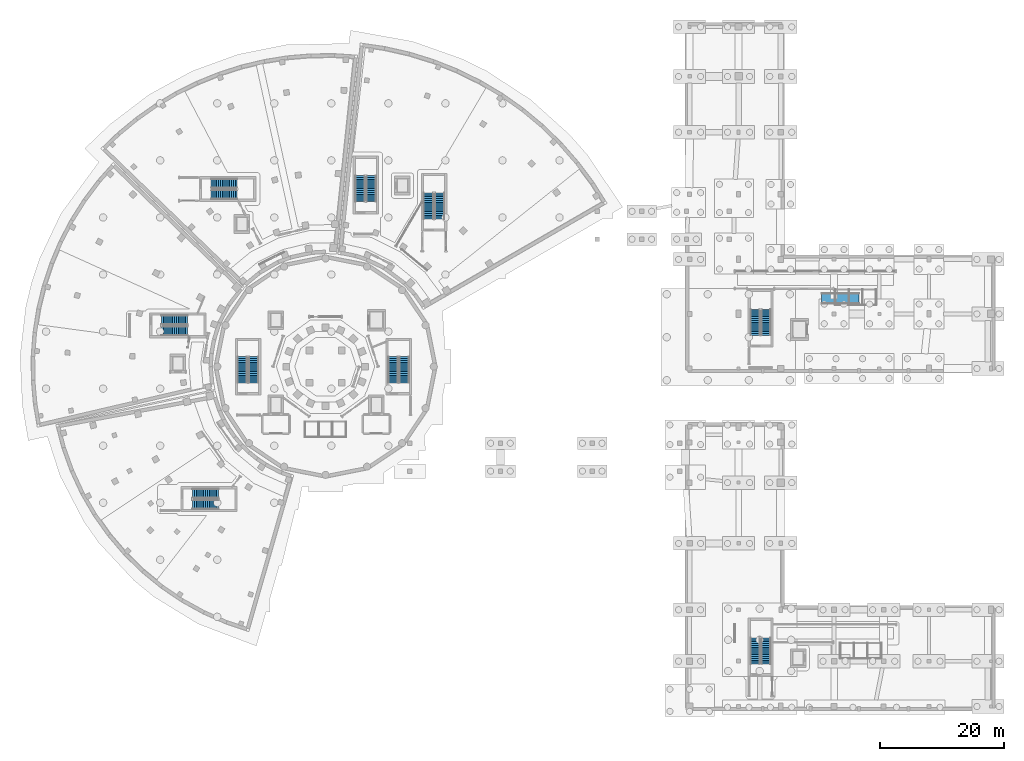
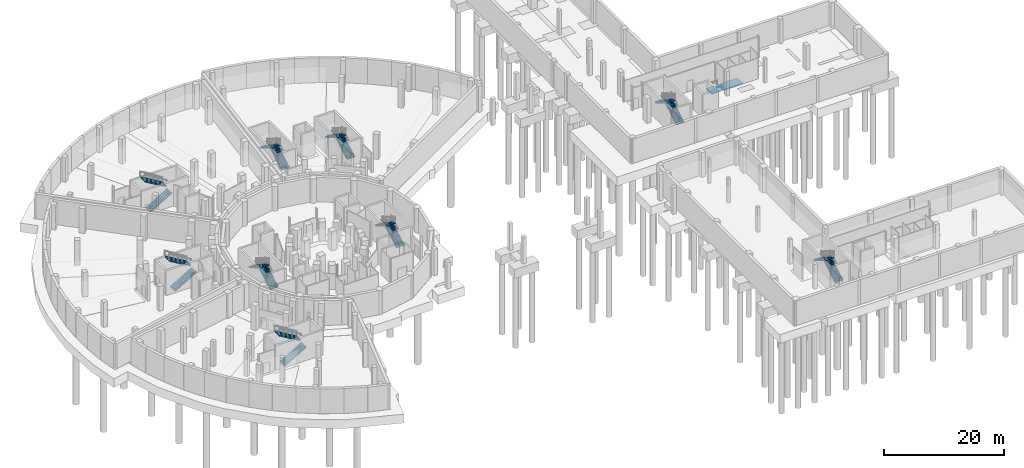
# One storey, part 19 of 33: 18 stair flights, 1 ramp flight, 10 elements without a shape of their own.
"""IFC4 building model written with IfcOpenShell, lengths in metres."""

from ifc_helpers import new_model, si_unit, direction, frame, origin, place, context, subcontext, project, spatial, polyline, outline, extrude, material, type_object, element, aggregate, save


model = new_model("IFC4")

# Units and contexts
model_context = context("Model", 3, precision=1e-05, world=origin(), true_north=direction((0.0, 1.0)))
body_context = subcontext(model_context, "Body", "Model", "MODEL_VIEW")
ifc_project = project(units=[si_unit("LENGTHUNIT", "METRE"), si_unit("AREAUNIT", "SQUARE_METRE"), si_unit("VOLUMEUNIT", "CUBIC_METRE"), si_unit("PLANEANGLEUNIT", "RADIAN"), si_unit("MASSUNIT", "GRAM", prefix="KILO")], contexts=[model_context])

# Site, building, storey
site_placement = place(None, origin())
site = spatial("IfcSite", under=ifc_project, at=site_placement, CompositionType="ELEMENT")
building_placement = place(site_placement, origin())
building = spatial("IfcBuilding", under=site, at=building_placement, Name="Soyqirgoq Riverine Aquarium", CompositionType="ELEMENT")
storey_placement = place(building_placement, frame((0.0, 0.0, -5.39990234375)))
storey = spatial("IfcBuildingStorey", under=building, at=storey_placement, Name="B01", CompositionType="ELEMENT", Elevation=-5.39990234375)

# Stair, stair flights
ifc_material_1 = material(Name="Concrete C35/45", Category="concrete")
stair_type = type_object("IfcStairType", Name="CoreDoglegStair_RC", PredefinedType="HALF_TURN_STAIR", material=ifc_material_1)
stair_1_placement = place(storey_placement, origin())
stair_1 = element("IfcStair", 1, at=stair_1_placement, inside=storey, type_object=stair_type, Name="B01 Enclosed Exit Stair ST-1", PredefinedType="HALF_TURN_STAIR")
ifc_material_2 = material(Name="Concrete C35/45", Category="concrete")
stair_flight_type = type_object("IfcStairFlightType", Name="CoreStairFlight_RC", PredefinedType="STRAIGHT", material=ifc_material_2)
stair_flight_1_placement = place(storey_placement, frame((68.699951171875, 54.39990234375, 0.0), z_axis=(0.0, 0.0, 1.0), x_axis=(0.0, 1.0, 0.0)))
stair_flight_1 = element("IfcStairFlight", 2, at=stair_flight_1_placement, type_object=stair_flight_type, Name="ST-1 flight 1", NumberOfRisers=15, NumberOfTreads=14, PredefinedType="STRAIGHT", RiserHeight=0.18, TreadLength=0.3, context=body_context, shape_type="SweptSolid", body=[
    extrude(outline(polyline([(0.0, 0.0), (0.0, 0.179931640625), (0.300048828125, 0.179931640625), (0.300048828125, 0.360107421875), (0.60009765625, 0.360107421875), (0.60009765625, 0.5400390625), (0.89990234375, 0.5400390625), (0.89990234375, 0.719970703125), (1.199951171875, 0.719970703125), (1.199951171875, 0.89990234375), (1.5, 0.89990234375), (1.5, 1.080078125), (1.800048828125, 1.080078125), (1.800048828125, 1.260009765625), (2.10009765625, 1.260009765625), (2.10009765625, 1.43994140625), (2.39990234375, 1.43994140625), (2.39990234375, 1.6201171875), (2.699951171875, 1.6201171875), (2.699951171875, 1.800048828125), (3.0, 1.800048828125), (3.0, 1.97998046875), (3.300048828125, 1.97998046875), (3.300048828125, 2.159912109375), (3.60009765625, 2.159912109375), (3.60009765625, 2.340087890625), (3.89990234375, 2.340087890625), (3.89990234375, 2.52001953125), (4.199951171875, 2.52001953125), (4.199951171875, 2.699951171875), (4.199951171875, 2.34521484375), (0.291259765625, 0.0), (0.0, 0.0)])), frame((0.0, 0.800048828125, 0.0), z_axis=(0.0, -1.0, 0.0), x_axis=(1.0, 0.0, 0.0)), (0.0, 0.0, 1.0), 1.60009765625),
])
stair_flight_2_placement = place(storey_placement, frame((66.89990234375, 58.60009765625, 2.699951171875), z_axis=(0.0, 0.0, 1.0), x_axis=(0.0, -1.0, 0.0)))
stair_flight_2 = element("IfcStairFlight", 3, at=stair_flight_2_placement, type_object=stair_flight_type, Name="ST-1 flight 2", NumberOfRisers=15, NumberOfTreads=14, PredefinedType="STRAIGHT", RiserHeight=0.18, TreadLength=0.3, context=body_context, shape_type="SweptSolid", body=[
    extrude(outline(polyline([(0.0, 0.0), (0.0, 0.179931640625), (0.300048828125, 0.179931640625), (0.300048828125, 0.360107421875), (0.60009765625, 0.360107421875), (0.60009765625, 0.5400390625), (0.89990234375, 0.5400390625), (0.89990234375, 0.719970703125), (1.199951171875, 0.719970703125), (1.199951171875, 0.89990234375), (1.5, 0.89990234375), (1.5, 1.080078125), (1.800048828125, 1.080078125), (1.800048828125, 1.260009765625), (2.10009765625, 1.260009765625), (2.10009765625, 1.43994140625), (2.39990234375, 1.43994140625), (2.39990234375, 1.6201171875), (2.699951171875, 1.6201171875), (2.699951171875, 1.800048828125), (3.0, 1.800048828125), (3.0, 1.97998046875), (3.300048828125, 1.97998046875), (3.300048828125, 2.159912109375), (3.60009765625, 2.159912109375), (3.60009765625, 2.340087890625), (3.89990234375, 2.340087890625), (3.89990234375, 2.52001953125), (4.199951171875, 2.52001953125), (4.199951171875, 2.699951171875), (4.199951171875, 2.34521484375), (0.291259765625, 0.0), (0.0, 0.0)])), frame((0.0, 0.800048828125, 0.0), z_axis=(0.0, -1.0, 0.0), x_axis=(1.0, 0.0, 0.0)), (0.0, 0.0, 1.0), 1.60009765625),
])
aggregate(stair_1, [stair_flight_1, stair_flight_2])

stair_2_placement = place(storey_placement, origin())
stair_2 = element("IfcStair", 4, at=stair_2_placement, inside=storey, type_object=stair_type, Name="B01 Enclosed Exit Stair ST-9", PredefinedType="HALF_TURN_STAIR")
stair_flight_3_placement = place(storey_placement, frame((44.39990234375, 54.39990234375, 0.0), z_axis=(0.0, 0.0, 1.0), x_axis=(0.0, 1.0, 0.0)))
stair_flight_3 = element("IfcStairFlight", 5, at=stair_flight_3_placement, type_object=stair_flight_type, Name="ST-9 flight 1", NumberOfRisers=15, NumberOfTreads=14, PredefinedType="STRAIGHT", RiserHeight=0.18, TreadLength=0.3, context=body_context, shape_type="SweptSolid", body=[
    extrude(outline(polyline([(0.0, 0.0), (0.0, 0.179931640625), (0.300048828125, 0.179931640625), (0.300048828125, 0.360107421875), (0.60009765625, 0.360107421875), (0.60009765625, 0.5400390625), (0.89990234375, 0.5400390625), (0.89990234375, 0.719970703125), (1.199951171875, 0.719970703125), (1.199951171875, 0.89990234375), (1.5, 0.89990234375), (1.5, 1.080078125), (1.800048828125, 1.080078125), (1.800048828125, 1.260009765625), (2.10009765625, 1.260009765625), (2.10009765625, 1.43994140625), (2.39990234375, 1.43994140625), (2.39990234375, 1.6201171875), (2.699951171875, 1.6201171875), (2.699951171875, 1.800048828125), (3.0, 1.800048828125), (3.0, 1.97998046875), (3.300048828125, 1.97998046875), (3.300048828125, 2.159912109375), (3.60009765625, 2.159912109375), (3.60009765625, 2.340087890625), (3.89990234375, 2.340087890625), (3.89990234375, 2.52001953125), (4.199951171875, 2.52001953125), (4.199951171875, 2.699951171875), (4.199951171875, 2.34521484375), (0.291259765625, 0.0), (0.0, 0.0)])), frame((0.0, 0.800048828125, 0.0), z_axis=(0.0, -1.0, 0.0), x_axis=(1.0, 0.0, 0.0)), (0.0, 0.0, 1.0), 1.60009765625),
])
stair_flight_4_placement = place(storey_placement, frame((42.60009765625, 58.60009765625, 2.699951171875), z_axis=(0.0, 0.0, 1.0), x_axis=(0.0, -1.0, 0.0)))
stair_flight_4 = element("IfcStairFlight", 6, at=stair_flight_4_placement, type_object=stair_flight_type, Name="ST-9 flight 2", NumberOfRisers=15, NumberOfTreads=14, PredefinedType="STRAIGHT", RiserHeight=0.18, TreadLength=0.3, context=body_context, shape_type="SweptSolid", body=[
    extrude(outline(polyline([(0.0, 0.0), (0.0, 0.179931640625), (0.300048828125, 0.179931640625), (0.300048828125, 0.360107421875), (0.60009765625, 0.360107421875), (0.60009765625, 0.5400390625), (0.89990234375, 0.5400390625), (0.89990234375, 0.719970703125), (1.199951171875, 0.719970703125), (1.199951171875, 0.89990234375), (1.5, 0.89990234375), (1.5, 1.080078125), (1.800048828125, 1.080078125), (1.800048828125, 1.260009765625), (2.10009765625, 1.260009765625), (2.10009765625, 1.43994140625), (2.39990234375, 1.43994140625), (2.39990234375, 1.6201171875), (2.699951171875, 1.6201171875), (2.699951171875, 1.800048828125), (3.0, 1.800048828125), (3.0, 1.97998046875), (3.300048828125, 1.97998046875), (3.300048828125, 2.159912109375), (3.60009765625, 2.159912109375), (3.60009765625, 2.340087890625), (3.89990234375, 2.340087890625), (3.89990234375, 2.52001953125), (4.199951171875, 2.52001953125), (4.199951171875, 2.699951171875), (4.199951171875, 2.34521484375), (0.291259765625, 0.0), (0.0, 0.0)])), frame((0.0, 0.800048828125, 0.0), z_axis=(0.0, -1.0, 0.0), x_axis=(1.0, 0.0, 0.0)), (0.0, 0.0, 1.0), 1.60009765625),
])
aggregate(stair_2, [stair_flight_3, stair_flight_4])

stair_3_placement = place(storey_placement, origin())
stair_3 = element("IfcStair", 7, at=stair_3_placement, inside=storey, type_object=stair_type, Name="B01 Enclosed Exit Stair ST-2", PredefinedType="HALF_TURN_STAIR")
stair_flight_5_placement = place(storey_placement, frame((34.550048828125, 34.77490234375, 0.0), z_axis=(0.0, 0.0, 1.0), x_axis=(1.0, 0.0, 0.0)))
stair_flight_5 = element("IfcStairFlight", 8, at=stair_flight_5_placement, type_object=stair_flight_type, Name="ST-2 flight 1", NumberOfRisers=15, NumberOfTreads=14, PredefinedType="STRAIGHT", RiserHeight=0.18, TreadLength=0.3, context=body_context, shape_type="SweptSolid", body=[
    extrude(outline(polyline([(0.0, 0.0), (0.0, 0.179931640625), (0.300048828125, 0.179931640625), (0.300048828125, 0.360107421875), (0.60009765625, 0.360107421875), (0.60009765625, 0.5400390625), (0.89990234375, 0.5400390625), (0.89990234375, 0.719970703125), (1.199951171875, 0.719970703125), (1.199951171875, 0.89990234375), (1.5, 0.89990234375), (1.5, 1.080078125), (1.800048828125, 1.080078125), (1.800048828125, 1.260009765625), (2.10009765625, 1.260009765625), (2.10009765625, 1.43994140625), (2.39990234375, 1.43994140625), (2.39990234375, 1.6201171875), (2.699951171875, 1.6201171875), (2.699951171875, 1.800048828125), (3.0, 1.800048828125), (3.0, 1.97998046875), (3.300048828125, 1.97998046875), (3.300048828125, 2.159912109375), (3.60009765625, 2.159912109375), (3.60009765625, 2.340087890625), (3.89990234375, 2.340087890625), (3.89990234375, 2.52001953125), (4.199951171875, 2.52001953125), (4.199951171875, 2.699951171875), (4.199951171875, 2.34521484375), (0.291259765625, 0.0), (0.0, 0.0)])), frame((0.0, 0.77490234375, 0.0), z_axis=(0.0, -1.0, 0.0), x_axis=(1.0, 0.0, 0.0)), (0.0, 0.0, 1.0), 1.550048828125),
])
stair_flight_6_placement = place(storey_placement, frame((38.75, 36.52490234375, 2.699951171875), z_axis=(0.0, 0.0, 1.0), x_axis=(-1.0, 0.0, 0.0)))
stair_flight_6 = element("IfcStairFlight", 9, at=stair_flight_6_placement, type_object=stair_flight_type, Name="ST-2 flight 2", NumberOfRisers=15, NumberOfTreads=14, PredefinedType="STRAIGHT", RiserHeight=0.18, TreadLength=0.3, context=body_context, shape_type="SweptSolid", body=[
    extrude(outline(polyline([(0.0, 0.0), (0.0, 0.179931640625), (0.300048828125, 0.179931640625), (0.300048828125, 0.360107421875), (0.60009765625, 0.360107421875), (0.60009765625, 0.5400390625), (0.89990234375, 0.5400390625), (0.89990234375, 0.719970703125), (1.199951171875, 0.719970703125), (1.199951171875, 0.89990234375), (1.5, 0.89990234375), (1.5, 1.080078125), (1.800048828125, 1.080078125), (1.800048828125, 1.260009765625), (2.10009765625, 1.260009765625), (2.10009765625, 1.43994140625), (2.39990234375, 1.43994140625), (2.39990234375, 1.6201171875), (2.699951171875, 1.6201171875), (2.699951171875, 1.800048828125), (3.0, 1.800048828125), (3.0, 1.97998046875), (3.300048828125, 1.97998046875), (3.300048828125, 2.159912109375), (3.60009765625, 2.159912109375), (3.60009765625, 2.340087890625), (3.89990234375, 2.340087890625), (3.89990234375, 2.52001953125), (4.199951171875, 2.52001953125), (4.199951171875, 2.699951171875), (4.199951171875, 2.34521484375), (0.291259765625, 0.0), (0.0, 0.0)])), frame((0.0, 0.77490234375, 0.0), z_axis=(0.0, -1.0, 0.0), x_axis=(1.0, 0.0, 0.0)), (0.0, 0.0, 1.0), 1.550048828125),
])
aggregate(stair_3, [stair_flight_5, stair_flight_6])

stair_4_placement = place(storey_placement, origin())
stair_4 = element("IfcStair", 10, at=stair_4_placement, inside=storey, type_object=stair_type, Name="B01 Enclosed Exit Stair ST-3", PredefinedType="HALF_TURN_STAIR")
stair_flight_7_placement = place(storey_placement, frame((29.550048828125, 62.77490234375, 0.0), z_axis=(0.0, 0.0, 1.0), x_axis=(1.0, 0.0, 0.0)))
stair_flight_7 = element("IfcStairFlight", 11, at=stair_flight_7_placement, type_object=stair_flight_type, Name="ST-3 flight 1", NumberOfRisers=15, NumberOfTreads=14, PredefinedType="STRAIGHT", RiserHeight=0.18, TreadLength=0.3, context=body_context, shape_type="SweptSolid", body=[
    extrude(outline(polyline([(0.0, 0.0), (0.0, 0.179931640625), (0.300048828125, 0.179931640625), (0.300048828125, 0.360107421875), (0.60009765625, 0.360107421875), (0.60009765625, 0.5400390625), (0.89990234375, 0.5400390625), (0.89990234375, 0.719970703125), (1.199951171875, 0.719970703125), (1.199951171875, 0.89990234375), (1.5, 0.89990234375), (1.5, 1.080078125), (1.800048828125, 1.080078125), (1.800048828125, 1.260009765625), (2.10009765625, 1.260009765625), (2.10009765625, 1.43994140625), (2.39990234375, 1.43994140625), (2.39990234375, 1.6201171875), (2.699951171875, 1.6201171875), (2.699951171875, 1.800048828125), (3.0, 1.800048828125), (3.0, 1.97998046875), (3.300048828125, 1.97998046875), (3.300048828125, 2.159912109375), (3.60009765625, 2.159912109375), (3.60009765625, 2.340087890625), (3.89990234375, 2.340087890625), (3.89990234375, 2.52001953125), (4.199951171875, 2.52001953125), (4.199951171875, 2.699951171875), (4.199951171875, 2.34521484375), (0.291259765625, 0.0), (0.0, 0.0)])), frame((0.0, 0.77490234375, 0.0), z_axis=(0.0, -1.0, 0.0), x_axis=(1.0, 0.0, 0.0)), (0.0, 0.0, 1.0), 1.550048828125),
])
stair_flight_8_placement = place(storey_placement, frame((33.75, 64.52490234375, 2.699951171875), z_axis=(0.0, 0.0, 1.0), x_axis=(-1.0, 0.0, 0.0)))
stair_flight_8 = element("IfcStairFlight", 12, at=stair_flight_8_placement, type_object=stair_flight_type, Name="ST-3 flight 2", NumberOfRisers=15, NumberOfTreads=14, PredefinedType="STRAIGHT", RiserHeight=0.18, TreadLength=0.3, context=body_context, shape_type="SweptSolid", body=[
    extrude(outline(polyline([(0.0, 0.0), (0.0, 0.179931640625), (0.300048828125, 0.179931640625), (0.300048828125, 0.360107421875), (0.60009765625, 0.360107421875), (0.60009765625, 0.5400390625), (0.89990234375, 0.5400390625), (0.89990234375, 0.719970703125), (1.199951171875, 0.719970703125), (1.199951171875, 0.89990234375), (1.5, 0.89990234375), (1.5, 1.080078125), (1.800048828125, 1.080078125), (1.800048828125, 1.260009765625), (2.10009765625, 1.260009765625), (2.10009765625, 1.43994140625), (2.39990234375, 1.43994140625), (2.39990234375, 1.6201171875), (2.699951171875, 1.6201171875), (2.699951171875, 1.800048828125), (3.0, 1.800048828125), (3.0, 1.97998046875), (3.300048828125, 1.97998046875), (3.300048828125, 2.159912109375), (3.60009765625, 2.159912109375), (3.60009765625, 2.340087890625), (3.89990234375, 2.340087890625), (3.89990234375, 2.52001953125), (4.199951171875, 2.52001953125), (4.199951171875, 2.699951171875), (4.199951171875, 2.34521484375), (0.291259765625, 0.0), (0.0, 0.0)])), frame((0.0, 0.77490234375, 0.0), z_axis=(0.0, -1.0, 0.0), x_axis=(1.0, 0.0, 0.0)), (0.0, 0.0, 1.0), 1.550048828125),
])
aggregate(stair_4, [stair_flight_7, stair_flight_8])

stair_5_placement = place(storey_placement, origin())
stair_5 = element("IfcStair", 13, at=stair_5_placement, inside=storey, type_object=stair_type, Name="B01 Enclosed Exit Stair ST-4", PredefinedType="HALF_TURN_STAIR")
stair_flight_9_placement = place(storey_placement, frame((37.550048828125, 84.77490234375, 0.0), z_axis=(0.0, 0.0, 1.0), x_axis=(1.0, 0.0, 0.0)))
stair_flight_9 = element("IfcStairFlight", 14, at=stair_flight_9_placement, type_object=stair_flight_type, Name="ST-4 flight 1", NumberOfRisers=15, NumberOfTreads=14, PredefinedType="STRAIGHT", RiserHeight=0.18, TreadLength=0.3, context=body_context, shape_type="SweptSolid", body=[
    extrude(outline(polyline([(0.0, 0.0), (0.0, 0.179931640625), (0.300048828125, 0.179931640625), (0.300048828125, 0.360107421875), (0.60009765625, 0.360107421875), (0.60009765625, 0.5400390625), (0.89990234375, 0.5400390625), (0.89990234375, 0.719970703125), (1.199951171875, 0.719970703125), (1.199951171875, 0.89990234375), (1.5, 0.89990234375), (1.5, 1.080078125), (1.800048828125, 1.080078125), (1.800048828125, 1.260009765625), (2.10009765625, 1.260009765625), (2.10009765625, 1.43994140625), (2.39990234375, 1.43994140625), (2.39990234375, 1.6201171875), (2.699951171875, 1.6201171875), (2.699951171875, 1.800048828125), (3.0, 1.800048828125), (3.0, 1.97998046875), (3.300048828125, 1.97998046875), (3.300048828125, 2.159912109375), (3.60009765625, 2.159912109375), (3.60009765625, 2.340087890625), (3.89990234375, 2.340087890625), (3.89990234375, 2.52001953125), (4.199951171875, 2.52001953125), (4.199951171875, 2.699951171875), (4.199951171875, 2.34521484375), (0.291259765625, 0.0), (0.0, 0.0)])), frame((0.0, 0.77490234375, 0.0), z_axis=(0.0, -1.0, 0.0), x_axis=(1.0, 0.0, 0.0)), (0.0, 0.0, 1.0), 1.550048828125),
])
stair_flight_10_placement = place(storey_placement, frame((41.75, 86.52490234375, 2.699951171875), z_axis=(0.0, 0.0, 1.0), x_axis=(-1.0, 0.0, 0.0)))
stair_flight_10 = element("IfcStairFlight", 15, at=stair_flight_10_placement, type_object=stair_flight_type, Name="ST-4 flight 2", NumberOfRisers=15, NumberOfTreads=14, PredefinedType="STRAIGHT", RiserHeight=0.18, TreadLength=0.3, context=body_context, shape_type="SweptSolid", body=[
    extrude(outline(polyline([(0.0, 0.0), (0.0, 0.179931640625), (0.300048828125, 0.179931640625), (0.300048828125, 0.360107421875), (0.60009765625, 0.360107421875), (0.60009765625, 0.5400390625), (0.89990234375, 0.5400390625), (0.89990234375, 0.719970703125), (1.199951171875, 0.719970703125), (1.199951171875, 0.89990234375), (1.5, 0.89990234375), (1.5, 1.080078125), (1.800048828125, 1.080078125), (1.800048828125, 1.260009765625), (2.10009765625, 1.260009765625), (2.10009765625, 1.43994140625), (2.39990234375, 1.43994140625), (2.39990234375, 1.6201171875), (2.699951171875, 1.6201171875), (2.699951171875, 1.800048828125), (3.0, 1.800048828125), (3.0, 1.97998046875), (3.300048828125, 1.97998046875), (3.300048828125, 2.159912109375), (3.60009765625, 2.159912109375), (3.60009765625, 2.340087890625), (3.89990234375, 2.340087890625), (3.89990234375, 2.52001953125), (4.199951171875, 2.52001953125), (4.199951171875, 2.699951171875), (4.199951171875, 2.34521484375), (0.291259765625, 0.0), (0.0, 0.0)])), frame((0.0, 0.77490234375, 0.0), z_axis=(0.0, -1.0, 0.0), x_axis=(1.0, 0.0, 0.0)), (0.0, 0.0, 1.0), 1.550048828125),
])
aggregate(stair_5, [stair_flight_9, stair_flight_10])

stair_6_placement = place(storey_placement, origin())
stair_6 = element("IfcStair", 16, at=stair_6_placement, inside=storey, type_object=stair_type, Name="B01 Enclosed Exit Stair ST-5", PredefinedType="HALF_TURN_STAIR")
stair_flight_11_placement = place(storey_placement, frame((63.39990234375, 83.60009765625, 0.0), z_axis=(0.0, 0.0, 1.0), x_axis=(0.0, 1.0, 0.0)))
stair_flight_11 = element("IfcStairFlight", 17, at=stair_flight_11_placement, type_object=stair_flight_type, Name="ST-5 flight 1", NumberOfRisers=15, NumberOfTreads=14, PredefinedType="STRAIGHT", RiserHeight=0.18, TreadLength=0.3, context=body_context, shape_type="SweptSolid", body=[
    extrude(outline(polyline([(0.0, 0.0), (0.0, 0.179931640625), (0.300048828125, 0.179931640625), (0.300048828125, 0.360107421875), (0.60009765625, 0.360107421875), (0.60009765625, 0.5400390625), (0.89990234375, 0.5400390625), (0.89990234375, 0.719970703125), (1.199951171875, 0.719970703125), (1.199951171875, 0.89990234375), (1.5, 0.89990234375), (1.5, 1.080078125), (1.800048828125, 1.080078125), (1.800048828125, 1.260009765625), (2.10009765625, 1.260009765625), (2.10009765625, 1.43994140625), (2.39990234375, 1.43994140625), (2.39990234375, 1.6201171875), (2.699951171875, 1.6201171875), (2.699951171875, 1.800048828125), (3.0, 1.800048828125), (3.0, 1.97998046875), (3.300048828125, 1.97998046875), (3.300048828125, 2.159912109375), (3.60009765625, 2.159912109375), (3.60009765625, 2.340087890625), (3.89990234375, 2.340087890625), (3.89990234375, 2.52001953125), (4.199951171875, 2.52001953125), (4.199951171875, 2.699951171875), (4.199951171875, 2.34521484375), (0.291259765625, 0.0), (0.0, 0.0)])), frame((0.0, 0.800048828125, 0.0), z_axis=(0.0, -1.0, 0.0), x_axis=(1.0, 0.0, 0.0)), (0.0, 0.0, 1.0), 1.60009765625),
])
stair_flight_12_placement = place(storey_placement, frame((61.60009765625, 87.800048828125, 2.699951171875), z_axis=(0.0, 0.0, 1.0), x_axis=(0.0, -1.0, 0.0)))
stair_flight_12 = element("IfcStairFlight", 18, at=stair_flight_12_placement, type_object=stair_flight_type, Name="ST-5 flight 2", NumberOfRisers=15, NumberOfTreads=14, PredefinedType="STRAIGHT", RiserHeight=0.18, TreadLength=0.3, context=body_context, shape_type="SweptSolid", body=[
    extrude(outline(polyline([(0.0, 0.0), (0.0, 0.179931640625), (0.300048828125, 0.179931640625), (0.300048828125, 0.360107421875), (0.60009765625, 0.360107421875), (0.60009765625, 0.5400390625), (0.89990234375, 0.5400390625), (0.89990234375, 0.719970703125), (1.199951171875, 0.719970703125), (1.199951171875, 0.89990234375), (1.5, 0.89990234375), (1.5, 1.080078125), (1.800048828125, 1.080078125), (1.800048828125, 1.260009765625), (2.10009765625, 1.260009765625), (2.10009765625, 1.43994140625), (2.39990234375, 1.43994140625), (2.39990234375, 1.6201171875), (2.699951171875, 1.6201171875), (2.699951171875, 1.800048828125), (3.0, 1.800048828125), (3.0, 1.97998046875), (3.300048828125, 1.97998046875), (3.300048828125, 2.159912109375), (3.60009765625, 2.159912109375), (3.60009765625, 2.340087890625), (3.89990234375, 2.340087890625), (3.89990234375, 2.52001953125), (4.199951171875, 2.52001953125), (4.199951171875, 2.699951171875), (4.199951171875, 2.34521484375), (0.291259765625, 0.0), (0.0, 0.0)])), frame((0.0, 0.800048828125, 0.0), z_axis=(0.0, -1.0, 0.0), x_axis=(1.0, 0.0, 0.0)), (0.0, 0.0, 1.0), 1.60009765625),
])
aggregate(stair_6, [stair_flight_11, stair_flight_12])

stair_7_placement = place(storey_placement, origin())
stair_7 = element("IfcStair", 19, at=stair_7_placement, inside=storey, type_object=stair_type, Name="B01 Enclosed Exit Stair ST-6", PredefinedType="HALF_TURN_STAIR")
stair_flight_13_placement = place(storey_placement, frame((74.39990234375, 80.800048828125, 0.0), z_axis=(0.0, 0.0, 1.0), x_axis=(0.0, 1.0, 0.0)))
stair_flight_13 = element("IfcStairFlight", 20, at=stair_flight_13_placement, type_object=stair_flight_type, Name="ST-6 flight 1", NumberOfRisers=15, NumberOfTreads=14, PredefinedType="STRAIGHT", RiserHeight=0.18, TreadLength=0.3, context=body_context, shape_type="SweptSolid", body=[
    extrude(outline(polyline([(0.0, 0.0), (0.0, 0.179931640625), (0.300048828125, 0.179931640625), (0.300048828125, 0.360107421875), (0.60009765625, 0.360107421875), (0.60009765625, 0.5400390625), (0.89990234375, 0.5400390625), (0.89990234375, 0.719970703125), (1.199951171875, 0.719970703125), (1.199951171875, 0.89990234375), (1.5, 0.89990234375), (1.5, 1.080078125), (1.800048828125, 1.080078125), (1.800048828125, 1.260009765625), (2.10009765625, 1.260009765625), (2.10009765625, 1.43994140625), (2.39990234375, 1.43994140625), (2.39990234375, 1.6201171875), (2.699951171875, 1.6201171875), (2.699951171875, 1.800048828125), (3.0, 1.800048828125), (3.0, 1.97998046875), (3.300048828125, 1.97998046875), (3.300048828125, 2.159912109375), (3.60009765625, 2.159912109375), (3.60009765625, 2.340087890625), (3.89990234375, 2.340087890625), (3.89990234375, 2.52001953125), (4.199951171875, 2.52001953125), (4.199951171875, 2.699951171875), (4.199951171875, 2.34521484375), (0.291259765625, 0.0), (0.0, 0.0)])), frame((0.0, 0.800048828125, 0.0), z_axis=(0.0, -1.0, 0.0), x_axis=(1.0, 0.0, 0.0)), (0.0, 0.0, 1.0), 1.60009765625),
])
stair_flight_14_placement = place(storey_placement, frame((72.60009765625, 85.0, 2.699951171875), z_axis=(0.0, 0.0, 1.0), x_axis=(0.0, -1.0, 0.0)))
stair_flight_14 = element("IfcStairFlight", 21, at=stair_flight_14_placement, type_object=stair_flight_type, Name="ST-6 flight 2", NumberOfRisers=15, NumberOfTreads=14, PredefinedType="STRAIGHT", RiserHeight=0.18, TreadLength=0.3, context=body_context, shape_type="SweptSolid", body=[
    extrude(outline(polyline([(0.0, 0.0), (0.0, 0.179931640625), (0.300048828125, 0.179931640625), (0.300048828125, 0.360107421875), (0.60009765625, 0.360107421875), (0.60009765625, 0.5400390625), (0.89990234375, 0.5400390625), (0.89990234375, 0.719970703125), (1.199951171875, 0.719970703125), (1.199951171875, 0.89990234375), (1.5, 0.89990234375), (1.5, 1.080078125), (1.800048828125, 1.080078125), (1.800048828125, 1.260009765625), (2.10009765625, 1.260009765625), (2.10009765625, 1.43994140625), (2.39990234375, 1.43994140625), (2.39990234375, 1.6201171875), (2.699951171875, 1.6201171875), (2.699951171875, 1.800048828125), (3.0, 1.800048828125), (3.0, 1.97998046875), (3.300048828125, 1.97998046875), (3.300048828125, 2.159912109375), (3.60009765625, 2.159912109375), (3.60009765625, 2.340087890625), (3.89990234375, 2.340087890625), (3.89990234375, 2.52001953125), (4.199951171875, 2.52001953125), (4.199951171875, 2.699951171875), (4.199951171875, 2.34521484375), (0.291259765625, 0.0), (0.0, 0.0)])), frame((0.0, 0.800048828125, 0.0), z_axis=(0.0, -1.0, 0.0), x_axis=(1.0, 0.0, 0.0)), (0.0, 0.0, 1.0), 1.60009765625),
])
aggregate(stair_7, [stair_flight_13, stair_flight_14])

stair_8_placement = place(storey_placement, origin())
stair_8 = element("IfcStair", 22, at=stair_8_placement, inside=storey, type_object=stair_type, Name="B01 Enclosed Exit Stair ST-7", PredefinedType="HALF_TURN_STAIR")
stair_flight_15_placement = place(storey_placement, frame((127.02490234375, 9.050048828125, 0.0), z_axis=(0.0, 0.0, 1.0), x_axis=(0.0, 1.0, 0.0)))
stair_flight_15 = element("IfcStairFlight", 23, at=stair_flight_15_placement, type_object=stair_flight_type, Name="ST-7 flight 1", NumberOfRisers=15, NumberOfTreads=14, PredefinedType="STRAIGHT", RiserHeight=0.18, TreadLength=0.3, context=body_context, shape_type="SweptSolid", body=[
    extrude(outline(polyline([(0.0, 0.0), (0.0, 0.179931640625), (0.300048828125, 0.179931640625), (0.300048828125, 0.360107421875), (0.60009765625, 0.360107421875), (0.60009765625, 0.5400390625), (0.89990234375, 0.5400390625), (0.89990234375, 0.719970703125), (1.199951171875, 0.719970703125), (1.199951171875, 0.89990234375), (1.5, 0.89990234375), (1.5, 1.080078125), (1.800048828125, 1.080078125), (1.800048828125, 1.260009765625), (2.10009765625, 1.260009765625), (2.10009765625, 1.43994140625), (2.39990234375, 1.43994140625), (2.39990234375, 1.6201171875), (2.699951171875, 1.6201171875), (2.699951171875, 1.800048828125), (3.0, 1.800048828125), (3.0, 1.97998046875), (3.300048828125, 1.97998046875), (3.300048828125, 2.159912109375), (3.60009765625, 2.159912109375), (3.60009765625, 2.340087890625), (3.89990234375, 2.340087890625), (3.89990234375, 2.52001953125), (4.199951171875, 2.52001953125), (4.199951171875, 2.699951171875), (4.199951171875, 2.34521484375), (0.291259765625, 0.0), (0.0, 0.0)])), frame((0.0, 0.77490234375, 0.0), z_axis=(0.0, -1.0, 0.0), x_axis=(1.0, 0.0, 0.0)), (0.0, 0.0, 1.0), 1.550048828125),
])
stair_flight_16_placement = place(storey_placement, frame((125.27490234375, 13.25, 2.699951171875), z_axis=(0.0, 0.0, 1.0), x_axis=(0.0, -1.0, 0.0)))
stair_flight_16 = element("IfcStairFlight", 24, at=stair_flight_16_placement, type_object=stair_flight_type, Name="ST-7 flight 2", NumberOfRisers=15, NumberOfTreads=14, PredefinedType="STRAIGHT", RiserHeight=0.18, TreadLength=0.3, context=body_context, shape_type="SweptSolid", body=[
    extrude(outline(polyline([(0.0, 0.0), (0.0, 0.179931640625), (0.300048828125, 0.179931640625), (0.300048828125, 0.360107421875), (0.60009765625, 0.360107421875), (0.60009765625, 0.5400390625), (0.89990234375, 0.5400390625), (0.89990234375, 0.719970703125), (1.199951171875, 0.719970703125), (1.199951171875, 0.89990234375), (1.5, 0.89990234375), (1.5, 1.080078125), (1.800048828125, 1.080078125), (1.800048828125, 1.260009765625), (2.10009765625, 1.260009765625), (2.10009765625, 1.43994140625), (2.39990234375, 1.43994140625), (2.39990234375, 1.6201171875), (2.699951171875, 1.6201171875), (2.699951171875, 1.800048828125), (3.0, 1.800048828125), (3.0, 1.97998046875), (3.300048828125, 1.97998046875), (3.300048828125, 2.159912109375), (3.60009765625, 2.159912109375), (3.60009765625, 2.340087890625), (3.89990234375, 2.340087890625), (3.89990234375, 2.52001953125), (4.199951171875, 2.52001953125), (4.199951171875, 2.699951171875), (4.199951171875, 2.34521484375), (0.291259765625, 0.0), (0.0, 0.0)])), frame((0.0, 0.77490234375, 0.0), z_axis=(0.0, -1.0, 0.0), x_axis=(1.0, 0.0, 0.0)), (0.0, 0.0, 1.0), 1.550048828125),
])
aggregate(stair_8, [stair_flight_15, stair_flight_16])

stair_9_placement = place(storey_placement, origin())
stair_9 = element("IfcStair", 25, at=stair_9_placement, inside=storey, type_object=stair_type, Name="B01 Enclosed Exit Stair ST-8", PredefinedType="HALF_TURN_STAIR")
stair_flight_17_placement = place(storey_placement, frame((127.02490234375, 62.050048828125, 0.0), z_axis=(0.0, 0.0, 1.0), x_axis=(0.0, 1.0, 0.0)))
stair_flight_17 = element("IfcStairFlight", 26, at=stair_flight_17_placement, type_object=stair_flight_type, Name="ST-8 flight 1", NumberOfRisers=15, NumberOfTreads=14, PredefinedType="STRAIGHT", RiserHeight=0.18, TreadLength=0.3, context=body_context, shape_type="SweptSolid", body=[
    extrude(outline(polyline([(0.0, 0.0), (0.0, 0.179931640625), (0.300048828125, 0.179931640625), (0.300048828125, 0.360107421875), (0.60009765625, 0.360107421875), (0.60009765625, 0.5400390625), (0.89990234375, 0.5400390625), (0.89990234375, 0.719970703125), (1.199951171875, 0.719970703125), (1.199951171875, 0.89990234375), (1.5, 0.89990234375), (1.5, 1.080078125), (1.800048828125, 1.080078125), (1.800048828125, 1.260009765625), (2.10009765625, 1.260009765625), (2.10009765625, 1.43994140625), (2.39990234375, 1.43994140625), (2.39990234375, 1.6201171875), (2.699951171875, 1.6201171875), (2.699951171875, 1.800048828125), (3.0, 1.800048828125), (3.0, 1.97998046875), (3.300048828125, 1.97998046875), (3.300048828125, 2.159912109375), (3.60009765625, 2.159912109375), (3.60009765625, 2.340087890625), (3.89990234375, 2.340087890625), (3.89990234375, 2.52001953125), (4.199951171875, 2.52001953125), (4.199951171875, 2.699951171875), (4.199951171875, 2.34521484375), (0.291259765625, 0.0), (0.0, 0.0)])), frame((0.0, 0.77490234375, 0.0), z_axis=(0.0, -1.0, 0.0), x_axis=(1.0, 0.0, 0.0)), (0.0, 0.0, 1.0), 1.550048828125),
])
stair_flight_18_placement = place(storey_placement, frame((125.27490234375, 66.25, 2.699951171875), z_axis=(0.0, 0.0, 1.0), x_axis=(0.0, -1.0, 0.0)))
stair_flight_18 = element("IfcStairFlight", 27, at=stair_flight_18_placement, type_object=stair_flight_type, Name="ST-8 flight 2", NumberOfRisers=15, NumberOfTreads=14, PredefinedType="STRAIGHT", RiserHeight=0.18, TreadLength=0.3, context=body_context, shape_type="SweptSolid", body=[
    extrude(outline(polyline([(0.0, 0.0), (0.0, 0.179931640625), (0.300048828125, 0.179931640625), (0.300048828125, 0.360107421875), (0.60009765625, 0.360107421875), (0.60009765625, 0.5400390625), (0.89990234375, 0.5400390625), (0.89990234375, 0.719970703125), (1.199951171875, 0.719970703125), (1.199951171875, 0.89990234375), (1.5, 0.89990234375), (1.5, 1.080078125), (1.800048828125, 1.080078125), (1.800048828125, 1.260009765625), (2.10009765625, 1.260009765625), (2.10009765625, 1.43994140625), (2.39990234375, 1.43994140625), (2.39990234375, 1.6201171875), (2.699951171875, 1.6201171875), (2.699951171875, 1.800048828125), (3.0, 1.800048828125), (3.0, 1.97998046875), (3.300048828125, 1.97998046875), (3.300048828125, 2.159912109375), (3.60009765625, 2.159912109375), (3.60009765625, 2.340087890625), (3.89990234375, 2.340087890625), (3.89990234375, 2.52001953125), (4.199951171875, 2.52001953125), (4.199951171875, 2.699951171875), (4.199951171875, 2.34521484375), (0.291259765625, 0.0), (0.0, 0.0)])), frame((0.0, 0.77490234375, 0.0), z_axis=(0.0, -1.0, 0.0), x_axis=(1.0, 0.0, 0.0)), (0.0, 0.0, 1.0), 1.550048828125),
])
aggregate(stair_9, [stair_flight_17, stair_flight_18])

# Ramp, ramp flight
ramp_placement = place(storey_placement, origin())
ramp = element("IfcRamp", 28, at=ramp_placement, inside=storey, Name="B01 LSS Service Hall Accessible Ramp", PredefinedType="STRAIGHT_RUN_RAMP")
ramp_flight_placement = place(storey_placement, frame((136.0, 67.10009765625, -0.06005859375), z_axis=(-0.010009264196, 0.0, 0.99994990606), x_axis=(0.99994990606, 0.0, 0.010009264196)))
ramp_flight = element("IfcRampFlight", 29, at=ramp_flight_placement, Name="B01 LSS Service Hall Accessible Ramp Flight", PredefinedType="STRAIGHT", context=body_context, shape_type="SweptSolid", body=[
    extrude(outline(polyline([(0.0, 0.0), (6.00030057869464, 0.0), (6.00030057869464, 1.7998046875), (0.0, 1.7998046875), (0.0, 0.0)])), origin(), (0.0, 0.0, -1.0), 0.179931640625),
])
aggregate(ramp, [ramp_flight])

save(model, "model.ifc")
